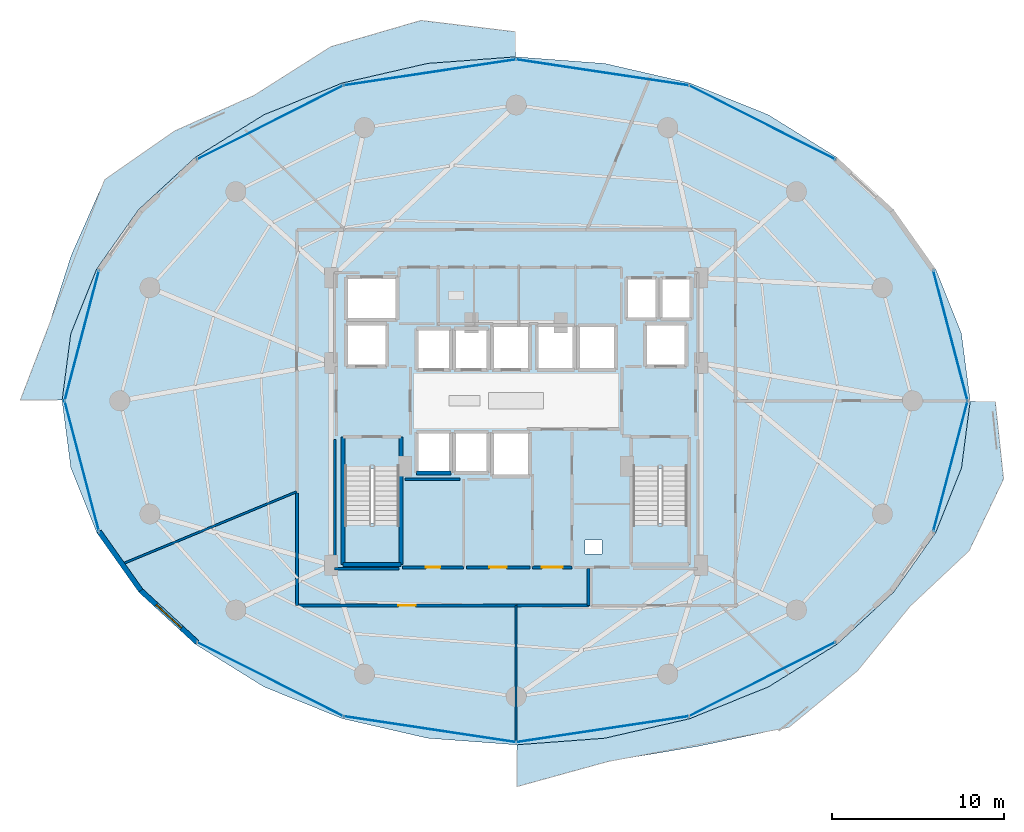
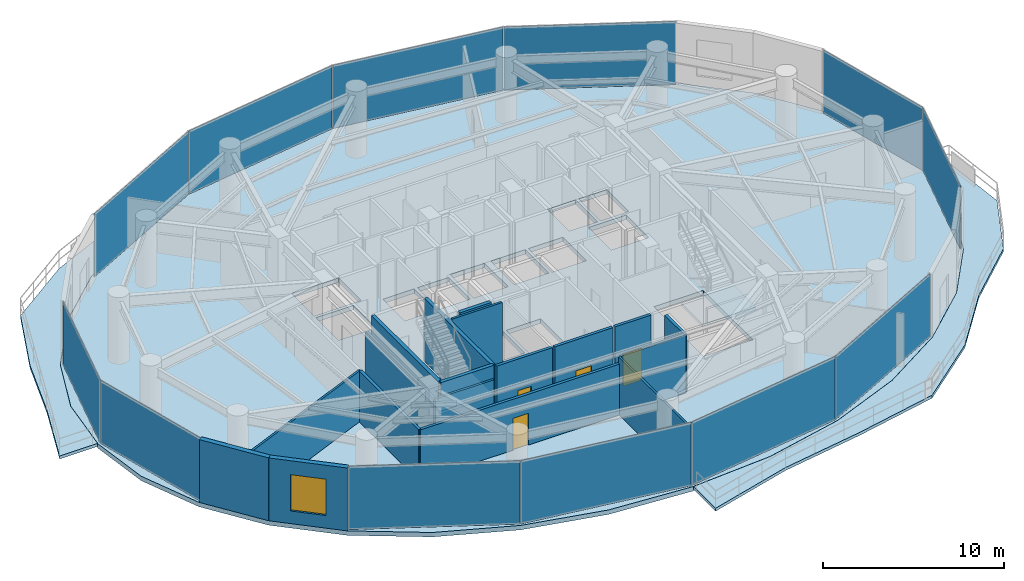
# One storey, part 19 of 27: 18 walls, 12 plates, 5 slabs, 4 doors, 1 window, 5 openings, 6 elements without a shape of their own.
"""IFC4 building model written with IfcOpenShell, lengths in metres."""

from ifc_helpers import new_model, si_unit, direction, frame, frame_2d, origin, origin_2d, place, context, subcontext, project, spatial, polyline, rectangle, outline, extrude, material, layer, layer_set, type_object, element, fill, aggregate, save


model = new_model("IFC4")

# Units and contexts
model_context = context("Model", 3, precision=1e-05, world=origin(), true_north=direction((0.0, 1.0)))
body_context = subcontext(model_context, "Body", "Model", "MODEL_VIEW")
ifc_project = project(units=[si_unit("LENGTHUNIT", "METRE"), si_unit("AREAUNIT", "SQUARE_METRE"), si_unit("VOLUMEUNIT", "CUBIC_METRE"), si_unit("PLANEANGLEUNIT", "RADIAN"), si_unit("MASSUNIT", "GRAM", prefix="KILO")], contexts=[model_context])

# Site, building, storey
site_placement = place(None, origin())
site = spatial("IfcSite", under=ifc_project, at=site_placement, CompositionType="ELEMENT")
building_placement = place(site_placement, origin())
building = spatial("IfcBuilding", under=site, at=building_placement, Name="Vorneva Point Tower", CompositionType="ELEMENT")
storey_placement = place(building_placement, frame((0.0, 0.0, 74.300048828125)))
storey = spatial("IfcBuildingStorey", under=building, at=storey_placement, Name="L19", CompositionType="ELEMENT", Elevation=74.300048828125)

# Curtain wall, plates
ifc_material_1 = material(Name="Pale anodised aluminium", Category="aluminium")
curtain_wall_type = type_object("IfcCurtainWallType", Name="CW-SKY-SYS", PredefinedType="NOTDEFINED", material=ifc_material_1)
curtain_wall_1_placement = place(storey_placement, origin())
curtain_wall_1 = element("IfcCurtainWall", 1, at=curtain_wall_1_placement, inside=storey, type_object=curtain_wall_type, Name="L19 Unitised Curtain Wall CW-L19-R01", PredefinedType="NOTDEFINED")
ifc_material_2 = material(Name="Double low-e laminated glass IGU", Category="glass")
ifc_layer_1 = layer(ifc_material_2, 0.035888671875)
ifc_layer_set_1 = layer_set([ifc_layer_1], Name="Double low-e laminated glass IGU")
plate_type = type_object("IfcPlateType", Name="CW-PNL-VIS", PredefinedType="CURTAIN_PANEL", material=ifc_layer_set_1)
plate_1_placement = place(storey_placement, frame((63.2509765625, 22.201904296875, -0.02001953125), z_axis=(0.0, 0.0, 1.0), x_axis=(0.254399404995, 0.967099241411, 0.0)))
plate_1 = element("IfcPlate", 2, at=plate_1_placement, type_object=plate_type, Name="CW-L19-R01 Glazed Panel 01", PredefinedType="CURTAIN_PANEL", context=body_context, shape_type="SweptSolid", body=[
    extrude(rectangle(XDim=7.8046875, YDim=0.035888671875, at=origin_2d()), origin(), (0.0, 0.0, 1.0), 4.280029296875),
])
plate_2_placement = place(storey_placement, frame((63.2509765625, 29.798095703125, -0.02001953125), z_axis=(0.0, 0.0, 1.0), x_axis=(-0.254399404995, 0.967099241411, 0.0)))
plate_2 = element("IfcPlate", 3, at=plate_2_placement, type_object=plate_type, Name="CW-L19-R01 Glazed Panel 02", PredefinedType="CURTAIN_PANEL", context=body_context, shape_type="SweptSolid", body=[
    extrude(rectangle(XDim=7.8046875, YDim=0.035888671875, at=origin_2d()), origin(), (0.0, 0.0, 1.0), 4.280029296875),
])
aggregate(curtain_wall_1, [plate_1, plate_2])

curtain_wall_2_placement = place(storey_placement, origin())
curtain_wall_2 = element("IfcCurtainWall", 4, at=curtain_wall_2_placement, inside=storey, type_object=curtain_wall_type, Name="L19 Unitised Curtain Wall CW-L19-R02", PredefinedType="NOTDEFINED")
plate_3_placement = place(storey_placement, frame((52.303466796875, 42.1875, -0.02001953125), z_axis=(0.0, 0.0, 1.0), x_axis=(-0.892538597772, 0.450971009585, 0.0)))
plate_3 = element("IfcPlate", 5, at=plate_3_placement, type_object=plate_type, Name="CW-L19-R02 Glazed Panel 01", PredefinedType="CURTAIN_PANEL", context=body_context, shape_type="SweptSolid", body=[
    extrude(rectangle(XDim=9.491455078125, YDim=0.035888671875, at=origin_2d()), origin(), (0.0, 0.0, 1.0), 4.280029296875),
])
plate_4_placement = place(storey_placement, frame((43.022705078125, 45.094482421875, -0.02001953125), z_axis=(0.0, 0.0, 1.0), x_axis=(-0.988876117041, 0.148741470836, 0.0)))
plate_4 = element("IfcPlate", 6, at=plate_4_placement, type_object=plate_type, Name="CW-L19-R02 Glazed Panel 02", PredefinedType="CURTAIN_PANEL", context=body_context, shape_type="SweptSolid", body=[
    extrude(rectangle(XDim=10.1083984375, YDim=0.035888671875, at=origin_2d()), origin(), (0.0, 0.0, 1.0), 4.280029296875),
])
plate_5_placement = place(storey_placement, frame((32.977294921875, 45.094482421875, -0.02001953125), z_axis=(0.0, 0.0, 1.0), x_axis=(-0.988876117041, -0.148741470836, 0.0)))
plate_5 = element("IfcPlate", 7, at=plate_5_placement, type_object=plate_type, Name="CW-L19-R02 Glazed Panel 03", PredefinedType="CURTAIN_PANEL", context=body_context, shape_type="SweptSolid", body=[
    extrude(rectangle(XDim=10.1083984375, YDim=0.035888671875, at=origin_2d()), origin(), (0.0, 0.0, 1.0), 4.280029296875),
])
plate_6_placement = place(storey_placement, frame((23.696533203125, 42.1875, -0.02001953125), z_axis=(0.0, 0.0, 1.0), x_axis=(-0.892538597772, -0.450971009585, 0.0)))
plate_6 = element("IfcPlate", 8, at=plate_6_placement, type_object=plate_type, Name="CW-L19-R02 Glazed Panel 04", PredefinedType="CURTAIN_PANEL", context=body_context, shape_type="SweptSolid", body=[
    extrude(rectangle(XDim=9.491455078125, YDim=0.035888671875, at=origin_2d()), origin(), (0.0, 0.0, 1.0), 4.280029296875),
])
aggregate(curtain_wall_2, [plate_3, plate_4, plate_5, plate_6])

curtain_wall_3_placement = place(storey_placement, origin())
curtain_wall_3 = element("IfcCurtainWall", 9, at=curtain_wall_3_placement, inside=storey, type_object=curtain_wall_type, Name="L19 Unitised Curtain Wall CW-L19-R03", PredefinedType="NOTDEFINED")
plate_7_placement = place(storey_placement, frame((12.7490234375, 29.798095703125, -0.02001953125), z_axis=(0.0, 0.0, 1.0), x_axis=(-0.254399404995, -0.967099241411, 0.0)))
plate_7 = element("IfcPlate", 10, at=plate_7_placement, type_object=plate_type, Name="CW-L19-R03 Glazed Panel 01", PredefinedType="CURTAIN_PANEL", context=body_context, shape_type="SweptSolid", body=[
    extrude(rectangle(XDim=7.8046875, YDim=0.035888671875, at=origin_2d()), origin(), (0.0, 0.0, 1.0), 4.280029296875),
])
plate_8_placement = place(storey_placement, frame((12.7490234375, 22.201904296875, -0.02001953125), z_axis=(0.0, 0.0, 1.0), x_axis=(0.254399404995, -0.967099241411, 0.0)))
plate_8 = element("IfcPlate", 11, at=plate_8_placement, type_object=plate_type, Name="CW-L19-R03 Glazed Panel 02", PredefinedType="CURTAIN_PANEL", context=body_context, shape_type="SweptSolid", body=[
    extrude(rectangle(XDim=7.8046875, YDim=0.035888671875, at=origin_2d()), origin(), (0.0, 0.0, 1.0), 4.280029296875),
])
aggregate(curtain_wall_3, [plate_7, plate_8])

curtain_wall_4_placement = place(storey_placement, origin())
curtain_wall_4 = element("IfcCurtainWall", 12, at=curtain_wall_4_placement, inside=storey, type_object=curtain_wall_type, Name="L19 Unitised Curtain Wall CW-L19-R04", PredefinedType="NOTDEFINED")
plate_9_placement = place(storey_placement, frame((23.696533203125, 9.8125, -0.02001953125), z_axis=(0.0, 0.0, 1.0), x_axis=(0.892538597772, -0.450971009585, 0.0)))
plate_9 = element("IfcPlate", 13, at=plate_9_placement, type_object=plate_type, Name="CW-L19-R04 Glazed Panel 01", PredefinedType="CURTAIN_PANEL", context=body_context, shape_type="SweptSolid", body=[
    extrude(rectangle(XDim=9.491455078125, YDim=0.035888671875, at=origin_2d()), origin(), (0.0, 0.0, 1.0), 4.280029296875),
])
plate_10_placement = place(storey_placement, frame((32.977294921875, 6.905517578125, -0.02001953125), z_axis=(0.0, 0.0, 1.0), x_axis=(0.988876117041, -0.148741470836, 0.0)))
plate_10 = element("IfcPlate", 14, at=plate_10_placement, type_object=plate_type, Name="CW-L19-R04 Glazed Panel 02", PredefinedType="CURTAIN_PANEL", context=body_context, shape_type="SweptSolid", body=[
    extrude(rectangle(XDim=10.1083984375, YDim=0.035888671875, at=origin_2d()), origin(), (0.0, 0.0, 1.0), 4.280029296875),
])
plate_11_placement = place(storey_placement, frame((43.022705078125, 6.905517578125, -0.02001953125), z_axis=(0.0, 0.0, 1.0), x_axis=(0.988876117041, 0.148741470836, 0.0)))
plate_11 = element("IfcPlate", 15, at=plate_11_placement, type_object=plate_type, Name="CW-L19-R04 Glazed Panel 03", PredefinedType="CURTAIN_PANEL", context=body_context, shape_type="SweptSolid", body=[
    extrude(rectangle(XDim=10.1083984375, YDim=0.035888671875, at=origin_2d()), origin(), (0.0, 0.0, 1.0), 4.280029296875),
])
plate_12_placement = place(storey_placement, frame((52.303466796875, 9.8125, -0.02001953125), z_axis=(0.0, 0.0, 1.0), x_axis=(0.892538597772, 0.450971009585, 0.0)))
plate_12 = element("IfcPlate", 16, at=plate_12_placement, type_object=plate_type, Name="CW-L19-R04 Glazed Panel 04", PredefinedType="CURTAIN_PANEL", context=body_context, shape_type="SweptSolid", body=[
    extrude(rectangle(XDim=9.491455078125, YDim=0.035888671875, at=origin_2d()), origin(), (0.0, 0.0, 1.0), 4.280029296875),
])
aggregate(curtain_wall_4, [plate_9, plate_10, plate_11, plate_12])

# Slabs
ifc_material_3 = material(Name="Concrete B50 (C40/50)", Category="concrete")
ifc_layer_2 = layer(ifc_material_3, 0.199951171875)
ifc_layer_set_2 = layer_set([ifc_layer_2], Name="Concrete B50 (C40/50)")
slab_type_1 = type_object("IfcSlabType", Name="SLB-BAL-200", PredefinedType="FLOOR", material=ifc_layer_set_2)
slab_1_placement = place(storey_placement, frame((0.0, 0.0, -0.199951171875)))
element("IfcSlab", 17, at=slab_1_placement, inside=storey, type_object=slab_type_1, Name="L19 Cantilevered Wave Balcony NW", PredefinedType="FLOOR", context=body_context, shape_type="SweptSolid", body=[
    extrude(outline(polyline([(9.17431640625, 26.050048828125), (11.6025390625, 26.050048828125), (12.103271484375, 29.90234375), (12.103515625, 29.902587890625), (12.103515625, 29.903076171875), (12.103515625, 29.9033203125), (13.60595703125, 33.6552734375), (13.606201171875, 33.655517578125), (13.606201171875, 33.656005859375), (16.0458984375, 37.11376953125), (16.046142578125, 37.114013671875), (16.04638671875, 37.1142578125), (19.32958984375, 40.14501953125), (19.330078125, 40.145263671875), (19.330322265625, 40.1455078125), (23.330810546875, 42.6328125), (23.3310546875, 42.633056640625), (23.331298828125, 42.633056640625), (27.895751953125, 44.481201171875), (27.89599609375, 44.4814453125), (27.896240234375, 44.4814453125), (32.8486328125, 45.61962890625), (32.84912109375, 45.61962890625), (32.849365234375, 45.61962890625), (37.949951171875, 46.000244140625), (37.949951171875, 47.4609375), (32.472412109375, 48.119384765625), (27.233154296875, 46.59375), (22.76220703125, 43.756591796875), (18.15478515625, 41.696533203125), (14.072021484375, 38.85546875), (12.1337890625, 34.460693359375), (10.7841796875, 30.249267578125), (9.17431640625, 26.050048828125)])), origin(), (0.0, 0.0, 1.0), 0.199951171875),
])
slab_2_placement = place(storey_placement, frame((0.0, 0.0, -0.199951171875)))
element("IfcSlab", 18, at=slab_2_placement, inside=storey, type_object=slab_type_1, Name="L19 Cantilevered Wave Balcony SE", PredefinedType="FLOOR", context=body_context, shape_type="SweptSolid", body=[
    extrude(outline(polyline([(66.341796875, 21.455078125), (65.8603515625, 25.949951171875), (64.3974609375, 25.949951171875), (63.896728515625, 22.09765625), (63.896484375, 22.097412109375), (63.896484375, 22.096923828125), (63.896484375, 22.0966796875), (62.39404296875, 18.3447265625), (62.393798828125, 18.344482421875), (62.393798828125, 18.343994140625), (59.9541015625, 14.88623046875), (59.953857421875, 14.885986328125), (59.95361328125, 14.8857421875), (56.67041015625, 11.85498046875), (56.669921875, 11.854736328125), (56.669677734375, 11.8544921875), (52.669189453125, 9.3671875), (52.6689453125, 9.366943359375), (52.668701171875, 9.366943359375), (48.104248046875, 7.518798828125), (48.10400390625, 7.5185546875), (48.103759765625, 7.5185546875), (43.1513671875, 6.38037109375), (43.15087890625, 6.38037109375), (43.150634765625, 6.38037109375), (38.050048828125, 5.999755859375), (38.050048828125, 3.56884765625), (43.354248046875, 5.031494140625), (48.6064453125, 5.91748046875), (53.85791015625, 7.018310546875), (57.84521484375, 10.303466796875), (60.898193359375, 14.052978515625), (64.33642578125, 17.2822265625), (66.341796875, 21.455078125)])), origin(), (0.0, 0.0, 1.0), 0.199951171875),
])

# Stair, slab
stair_type = type_object("IfcStairType", Name="ST-DOG-1500", PredefinedType="HALF_TURN_STAIR", material=ifc_material_3)
stair_1_placement = place(storey_placement, origin())
stair_1 = element("IfcStair", 19, at=stair_1_placement, inside=storey, type_object=stair_type, Name="L19 ST1", PredefinedType="HALF_TURN_STAIR")
ifc_layer_3 = layer(ifc_material_3, 0.199951171875)
ifc_layer_set_3 = layer_set([ifc_layer_3], Name="Concrete B50 (C40/50)")
slab_type_2 = type_object("IfcSlabType", Name="SLB-LND-200", PredefinedType="LANDING", material=ifc_layer_set_3)
slab_3_placement = place(storey_placement, frame((0.0, 0.0, 2.050048828125)))
slab_3 = element("IfcSlab", 20, at=slab_3_placement, type_object=slab_type_2, Name="ST1 landing 1", PredefinedType="LANDING", context=body_context, shape_type="SweptSolid", body=[
    extrude(outline(polyline([(27.929931640625, 16.47998046875), (31.320068359375, 16.47998046875), (31.320068359375, 18.860107421875), (27.929931640625, 18.860107421875), (27.929931640625, 16.47998046875)])), origin(), (0.0, 0.0, 1.0), 0.199951171875),
])
aggregate(stair_1, [slab_3])

stair_2_placement = place(storey_placement, origin())
stair_2 = element("IfcStair", 21, at=stair_2_placement, inside=storey, type_object=stair_type, Name="L19 ST2", PredefinedType="HALF_TURN_STAIR")
slab_4_placement = place(storey_placement, frame((0.0, 0.0, 2.050048828125)))
slab_4 = element("IfcSlab", 22, at=slab_4_placement, type_object=slab_type_2, Name="ST2 landing 1", PredefinedType="LANDING", context=body_context, shape_type="SweptSolid", body=[
    extrude(outline(polyline([(44.679931640625, 16.47998046875), (48.070068359375, 16.47998046875), (48.070068359375, 18.860107421875), (44.679931640625, 18.860107421875), (44.679931640625, 16.47998046875)])), origin(), (0.0, 0.0, 1.0), 0.199951171875),
])
aggregate(stair_2, [slab_4])

# Slab
ifc_layer_4 = layer(ifc_material_3, 0.300048828125)
ifc_layer_set_4 = layer_set([ifc_layer_4], Name="Concrete B50 (C40/50)")
slab_type_3 = type_object("IfcSlabType", Name="SLB-SKY-300", PredefinedType="FLOOR", material=ifc_layer_set_4)
slab_5_placement = place(storey_placement, frame((0.0, 0.0, -0.300048828125)))
element("IfcSlab", 23, at=slab_5_placement, inside=storey, type_object=slab_type_3, Name="L19 Structural Floor Plate", PredefinedType="FLOOR", context=body_context, shape_type="SweptSolid", body=[
    extrude(outline(polyline([(64.39990234375, 26.0), (63.892578125, 29.90185546875), (62.390380859375, 33.65380859375), (59.95068359375, 37.111328125), (56.66748046875, 40.14208984375), (52.6669921875, 42.62939453125), (48.102783203125, 44.4775390625), (43.150390625, 45.61572265625), (38.0, 46.0), (32.849609375, 45.61572265625), (27.897216796875, 44.4775390625), (23.3330078125, 42.62939453125), (19.33251953125, 40.14208984375), (16.04931640625, 37.111328125), (13.609619140625, 33.65380859375), (12.107421875, 29.90185546875), (11.60009765625, 26.0), (12.107421875, 22.09814453125), (13.609619140625, 18.34619140625), (16.04931640625, 14.888671875), (19.33251953125, 11.85791015625), (23.3330078125, 9.37060546875), (27.897216796875, 7.5224609375), (32.849609375, 6.38427734375), (38.0, 6.0), (43.150390625, 6.38427734375), (48.102783203125, 7.5224609375), (52.6669921875, 9.37060546875), (56.66748046875, 11.85791015625), (59.95068359375, 14.888671875), (62.390380859375, 18.34619140625), (63.892578125, 22.09814453125), (64.39990234375, 26.0)]), holes=[polyline([(32.199951171875, 27.800048828125), (34.199951171875, 27.800048828125), (34.199951171875, 30.199951171875), (32.199951171875, 30.199951171875), (32.199951171875, 27.800048828125)]), polyline([(34.39990234375, 27.800048828125), (36.39990234375, 27.800048828125), (36.39990234375, 30.199951171875), (34.39990234375, 30.199951171875), (34.39990234375, 27.800048828125)]), polyline([(36.60009765625, 27.800048828125), (38.800048828125, 27.800048828125), (38.800048828125, 30.39990234375), (36.60009765625, 30.39990234375), (36.60009765625, 27.800048828125)]), polyline([(32.199951171875, 21.800048828125), (34.199951171875, 21.800048828125), (34.199951171875, 24.199951171875), (32.199951171875, 24.199951171875), (32.199951171875, 21.800048828125)]), polyline([(34.39990234375, 21.800048828125), (36.39990234375, 21.800048828125), (36.39990234375, 24.199951171875), (34.39990234375, 24.199951171875), (34.39990234375, 21.800048828125)]), polyline([(36.60009765625, 21.60009765625), (38.800048828125, 21.60009765625), (38.800048828125, 24.199951171875), (36.60009765625, 24.199951171875), (36.60009765625, 21.60009765625)]), polyline([(39.199951171875, 27.800048828125), (41.39990234375, 27.800048828125), (41.39990234375, 30.39990234375), (39.199951171875, 30.39990234375), (39.199951171875, 27.800048828125)]), polyline([(41.60009765625, 27.800048828125), (43.800048828125, 27.800048828125), (43.800048828125, 30.39990234375), (41.60009765625, 30.39990234375), (41.60009765625, 27.800048828125)]), polyline([(44.39990234375, 30.739990234375), (46.199951171875, 30.739990234375), (46.199951171875, 33.159912109375), (44.39990234375, 33.159912109375), (44.39990234375, 30.739990234375)]), polyline([(46.39990234375, 30.739990234375), (48.199951171875, 30.739990234375), (48.199951171875, 33.159912109375), (46.39990234375, 33.159912109375), (46.39990234375, 30.739990234375)]), polyline([(28.10009765625, 28.0), (30.5, 28.0), (30.5, 30.5), (28.10009765625, 30.5), (28.10009765625, 28.0)]), polyline([(45.5, 28.0), (47.89990234375, 28.0), (47.89990234375, 30.5), (45.5, 30.5), (45.5, 28.0)]), polyline([(28.10009765625, 30.699951171875), (31.10009765625, 30.699951171875), (31.10009765625, 33.199951171875), (28.10009765625, 33.199951171875), (28.10009765625, 30.699951171875)]), polyline([(28.050048828125, 16.60009765625), (31.199951171875, 16.60009765625), (31.199951171875, 22.080078125), (28.050048828125, 22.080078125), (28.050048828125, 16.60009765625)]), polyline([(44.800048828125, 16.60009765625), (47.949951171875, 16.60009765625), (47.949951171875, 22.080078125), (44.800048828125, 22.080078125), (44.800048828125, 16.60009765625)]), polyline([(42.0, 17.10009765625), (43.0, 17.10009765625), (43.0, 17.89990234375), (42.0, 17.89990234375), (42.0, 17.10009765625)])]), origin(), (0.0, 0.0, 1.0), 0.300048828125),
])

# Wall
ifc_material_4 = material(Name="Precast concrete B50 (C40/50)", Category="concrete")
ifc_layer_5 = layer(ifc_material_4, 0.300048828125)
ifc_layer_set_5 = layer_set([ifc_layer_5], Name="Precast concrete B50 (C40/50)")
wall_type_1 = type_object("IfcWallType", Name="WL-EXT-300", PredefinedType="STANDARD", material=ifc_layer_set_5)
wall_1_placement = place(storey_placement, frame((13.748291015625, 18.40380859375, 0.0), z_axis=(0.0, 0.0, 1.0), x_axis=(0.57716435238, -0.81662801222, 0.0)))
element("IfcWall", 24, at=wall_1_placement, inside=storey, type_object=wall_type_1, Name="L19 Pale-Metal Facade Spandrel Wall 10.1", PredefinedType="STANDARD", context=body_context, shape_type="SweptSolid", body=[
    extrude(rectangle(XDim=4.202392578125, YDim=0.300048828125, at=frame_2d((2.10107421875, 0.0))), origin(), (0.0, 0.0, 1.0), 4.239990234375),
])

# Wall, opening, window
wall_2_placement = place(storey_placement, frame((16.173828125, 14.971923828125, 0.0), z_axis=(0.0, 0.0, 1.0), x_axis=(0.735416718093, -0.677615119924, 0.0)))
wall_2 = element("IfcWall", 25, at=wall_2_placement, inside=storey, type_object=wall_type_1, Name="L19 Pale-Metal Facade Spandrel Wall 10.2", PredefinedType="STANDARD", context=body_context, shape_type="SweptSolid", body=[
    extrude(rectangle(XDim=4.439208984375, YDim=0.300048828125, at=frame_2d((2.2197265625, 0.0))), origin(), (0.0, 0.0, 1.0), 4.239990234375),
])
opening_1_placement = place(wall_2_placement, frame((1.219482421875, 0.0, 0.85009765625)))
opening_1 = element("IfcOpeningElement", 26, at=opening_1_placement, cuts=wall_2, Name="Opening W-07", PredefinedType="OPENING", context=body_context, shape_type="SweptSolid", body=[
    extrude(rectangle(XDim=2.0, YDim=2.449951171875, at=frame_2d((1.0, 1.22509765625))), frame((0.0, 0.1650390625, 0.0), z_axis=(0.0, -1.0, 0.0), x_axis=(1.0, 0.0, 0.0)), (0.0, 0.0, 1.0), 0.329833984375),
])
window_type = type_object("IfcWindowType", Name="WN-SKY-2000", PartitioningType="SINGLE_PANEL", PredefinedType="WINDOW", material=ifc_material_2)
window_placement = place(opening_1_placement, origin())
window = element("IfcWindow", 27, at=window_placement, inside=storey, type_object=window_type, Name="L19 Facade Window 10", OverallHeight=2.449951171875, OverallWidth=2.0, PartitioningType="SINGLE_PANEL", PredefinedType="WINDOW", context=body_context, shape_type="SweptSolid", body=[
    extrude(rectangle(XDim=2.0, YDim=2.449951171875, at=frame_2d((1.0, 1.22509765625))), frame((0.0, 0.030029296875, 0.0), z_axis=(0.0, -1.0, 0.0), x_axis=(1.0, 0.0, 0.0)), (0.0, 0.0, 1.0), 0.06005859375),
])
fill(opening_1, window)

# Walls
ifc_material_5 = material(Name="Fire-rated acoustic gypsum stud partition", Category="gypsum")
ifc_layer_6 = layer(ifc_material_5, 0.125)
ifc_layer_set_6 = layer_set([ifc_layer_6], Name="Fire-rated acoustic gypsum stud partition")
wall_type_2 = type_object("IfcWallType", Name="WL-PART-125", PredefinedType="PARTITIONING", material=ifc_layer_set_6)
wall_3_placement = place(storey_placement, frame((15.089111328125, 16.510009765625, 0.0), z_axis=(0.0, 0.0, 1.0), x_axis=(0.923872894692, 0.382699457086, 0.0)))
element("IfcWall", 28, at=wall_3_placement, inside=storey, type_object=wall_type_2, Name="L19 Interior Partition 044", PredefinedType="PARTITIONING", context=body_context, shape_type="SweptSolid", body=[
    extrude(rectangle(XDim=10.998046875, YDim=0.125, at=frame_2d((5.4990234375, 0.0))), origin(), (0.0, 0.0, 1.0), 3.431884765625),
])
wall_4_placement = place(storey_placement, frame((38.0, 6.14990234375, 0.0), z_axis=(0.0, 0.0, 1.0), x_axis=(0.0, 1.0, 0.0)))
element("IfcWall", 29, at=wall_4_placement, inside=storey, type_object=wall_type_2, Name="L19 Interior Partition 045", PredefinedType="PARTITIONING", context=body_context, shape_type="SweptSolid", body=[
    extrude(rectangle(XDim=7.9501953125, YDim=0.125, at=frame_2d((3.97509765625, 0.0))), origin(), (0.0, 0.0, 1.0), 3.8740234375),
])
ifc_layer_7 = layer(ifc_material_5, 0.139892578125)
ifc_layer_set_7 = layer_set([ifc_layer_7], Name="Fire-rated acoustic gypsum stud partition")
wall_type_3 = type_object("IfcWallType", Name="WL-PART-140", PredefinedType="PARTITIONING", material=ifc_layer_set_7)
wall_5_placement = place(storey_placement, frame((34.72998046875, 21.449951171875, 0.0), z_axis=(0.0, 0.0, 1.0), x_axis=(-1.0, 0.0, 0.0)))
element("IfcWall", 30, at=wall_5_placement, inside=storey, type_object=wall_type_3, Name="L19 Interior Closure Partition 054", PredefinedType="PARTITIONING", context=body_context, shape_type="SweptSolid", body=[
    extrude(rectangle(XDim=3.199951171875, YDim=0.139892578125, at=frame_2d((1.60009765625, 0.0))), origin(), (0.0, 0.0, 1.0), 4.239990234375),
])
wall_6_placement = place(storey_placement, frame((31.195068359375, 16.239990234375, 0.0), z_axis=(0.0, 0.0, 1.0), x_axis=(-1.0, 0.0, 0.0)))
element("IfcWall", 31, at=wall_6_placement, inside=storey, type_object=wall_type_3, Name="L19 Interior Closure Partition 061", PredefinedType="PARTITIONING", context=body_context, shape_type="SweptSolid", body=[
    extrude(rectangle(XDim=3.7451171875, YDim=0.139892578125, at=frame_2d((1.87255859375, 0.0))), origin(), (0.0, 0.0, 1.0), 3.431884765625),
])
wall_7_placement = place(storey_placement, frame((27.449951171875, 16.239990234375, 0.0), z_axis=(0.0, 0.0, 1.0), x_axis=(0.0, 1.0, 0.0)))
element("IfcWall", 32, at=wall_7_placement, inside=storey, type_object=wall_type_3, Name="L19 Interior Closure Partition 062", PredefinedType="PARTITIONING", context=body_context, shape_type="SweptSolid", body=[
    extrude(rectangle(XDim=7.513916015625, YDim=0.139892578125, at=frame_2d((3.7568359375, 0.0))), origin(), (0.0, 0.0, 1.0), 3.431884765625),
])

# Wall, opening, door
ifc_material_6 = material(Name="Autoclaved aerated concrete blockwork", Category="masonry")
ifc_layer_8 = layer(ifc_material_6, 0.179931640625)
ifc_layer_set_8 = layer_set([ifc_layer_8], Name="Autoclaved aerated concrete blockwork")
wall_type_4 = type_object("IfcWallType", Name="WL-PART-180", PredefinedType="PARTITIONING", material=ifc_layer_set_8)
wall_8_placement = place(storey_placement, frame((38.949951171875, 16.320068359375, 0.0), z_axis=(0.0, 0.0, 1.0), x_axis=(1.0, 0.0, 0.0)))
wall_8 = element("IfcWall", 33, at=wall_8_placement, inside=storey, type_object=wall_type_4, Name="L19 Interior Partition 014", PredefinedType="PARTITIONING", context=body_context, shape_type="SweptSolid", body=[
    extrude(rectangle(XDim=2.300048828125, YDim=0.179931640625, at=frame_2d((1.14990234375, 0.0))), origin(), (0.0, 0.0, 1.0), 4.239990234375),
])
opening_2_placement = place(wall_8_placement, frame((0.550048828125, 0.0, 0.0)))
opening_2 = element("IfcOpeningElement", 34, at=opening_2_placement, cuts=wall_8, Name="Opening FD-02", PredefinedType="OPENING", context=body_context, shape_type="SweptSolid", body=[
    extrude(rectangle(XDim=1.199951171875, YDim=2.14990234375, at=frame_2d((0.60009765625, 1.074951171875))), frame((0.0, 0.10498046875, 0.0), z_axis=(0.0, -1.0, 0.0), x_axis=(1.0, 0.0, 0.0)), (0.0, 0.0, 1.0), 0.209716796875),
])
ifc_material_7 = material(Name="Fire-rated powder-coated steel", Category="steel")
door_type_1 = type_object("IfcDoorType", Name="DR-FFL-1200", OperationType="NOTDEFINED", PredefinedType="DOOR", material=ifc_material_7)
door_1_placement = place(opening_2_placement, origin())
door_1 = element("IfcDoor", 35, at=door_1_placement, inside=storey, type_object=door_type_1, Name="L19 Door Core Service Lobby / L19 Circulation Corridor", OperationType="SINGLE_SWING_LEFT", OverallHeight=2.14990234375, OverallWidth=1.199951171875, PredefinedType="DOOR", context=body_context, shape_type="SweptSolid", body=[
    extrude(rectangle(XDim=1.199951171875, YDim=2.14990234375, at=frame_2d((0.60009765625, 1.074951171875))), frame((0.0, 0.02490234375, 0.0), z_axis=(0.0, -1.0, 0.0), x_axis=(1.0, 0.0, 0.0)), (0.0, 0.0, 1.0), 0.050048828125),
])
fill(opening_2, door_1)

wall_9_placement = place(storey_placement, frame((31.39990234375, 16.320068359375, 0.0), z_axis=(0.0, 0.0, 1.0), x_axis=(1.0, 0.0, 0.0)))
wall_9 = element("IfcWall", 36, at=wall_9_placement, inside=storey, type_object=wall_type_4, Name="L19 Interior Partition 026", PredefinedType="PARTITIONING", context=body_context, shape_type="SweptSolid", body=[
    extrude(rectangle(XDim=3.550048828125, YDim=0.179931640625, at=frame_2d((1.77490234375, 0.0))), origin(), (0.0, 0.0, 1.0), 4.239990234375),
])
opening_3_placement = place(wall_9_placement, frame((1.35009765625, 0.0, 0.0)))
opening_3 = element("IfcOpeningElement", 37, at=opening_3_placement, cuts=wall_9, Name="Opening ID-02", PredefinedType="OPENING", context=body_context, shape_type="SweptSolid", body=[
    extrude(rectangle(XDim=0.85009765625, YDim=2.10009765625, at=frame_2d((0.425048828125, 1.050048828125))), frame((0.0, 0.10498046875, 0.0), z_axis=(0.0, -1.0, 0.0), x_axis=(1.0, 0.0, 0.0)), (0.0, 0.0, 1.0), 0.209716796875),
])
ifc_material_8 = material(Name="Engineered oak fire-rated door leaf", Category="wood")
door_type_2 = type_object("IfcDoorType", Name="DR-BATH-850", OperationType="NOTDEFINED", PredefinedType="DOOR", material=ifc_material_8)
door_2_placement = place(opening_3_placement, origin())
door_2 = element("IfcDoor", 38, at=door_2_placement, inside=storey, type_object=door_type_2, Name="L19 Door Luggage Store / L19 Circulation Corridor", OperationType="SINGLE_SWING_LEFT", OverallHeight=2.10009765625, OverallWidth=0.85009765625, PredefinedType="DOOR", context=body_context, shape_type="SweptSolid", body=[
    extrude(rectangle(XDim=0.85009765625, YDim=2.10009765625, at=frame_2d((0.425048828125, 1.050048828125))), frame((0.0, 0.02490234375, 0.0), z_axis=(0.0, -1.0, 0.0), x_axis=(1.0, 0.0, 0.0)), (0.0, 0.0, 1.0), 0.050048828125),
])
fill(opening_3, door_2)

wall_10_placement = place(storey_placement, frame((35.10009765625, 16.320068359375, 0.0), z_axis=(0.0, 0.0, 1.0), x_axis=(1.0, 0.0, 0.0)))
wall_10 = element("IfcWall", 39, at=wall_10_placement, inside=storey, type_object=wall_type_4, Name="L19 Interior Partition 027", PredefinedType="PARTITIONING", context=body_context, shape_type="SweptSolid", body=[
    extrude(rectangle(XDim=3.699951171875, YDim=0.179931640625, at=frame_2d((1.85009765625, 0.0))), origin(), (0.0, 0.0, 1.0), 4.239990234375),
])
opening_4_placement = place(wall_10_placement, frame((1.35009765625, 0.0, 0.0)))
opening_4 = element("IfcOpeningElement", 40, at=opening_4_placement, cuts=wall_10, Name="Opening UD-01", PredefinedType="OPENING", context=body_context, shape_type="SweptSolid", body=[
    extrude(rectangle(XDim=1.0, YDim=2.14990234375, at=frame_2d((0.5, 1.074951171875))), frame((0.0, 0.10498046875, 0.0), z_axis=(0.0, -1.0, 0.0), x_axis=(1.0, 0.0, 0.0)), (0.0, 0.0, 1.0), 0.209716796875),
])
door_type_3 = type_object("IfcDoorType", Name="DR-UNIT-1000", OperationType="NOTDEFINED", PredefinedType="DOOR", material=ifc_material_8)
door_3_placement = place(opening_4_placement, origin())
door_3 = element("IfcDoor", 41, at=door_3_placement, inside=storey, type_object=door_type_3, Name="L19 Door Staff Service Pantry / L19 Circulation Corridor", OperationType="SINGLE_SWING_RIGHT", OverallHeight=2.14990234375, OverallWidth=1.0, PredefinedType="DOOR", context=body_context, shape_type="SweptSolid", body=[
    extrude(rectangle(XDim=1.0, YDim=2.14990234375, at=frame_2d((0.5, 1.074951171875))), frame((0.0, 0.02490234375, 0.0), z_axis=(0.0, -1.0, 0.0), x_axis=(1.0, 0.0, 0.0)), (0.0, 0.0, 1.0), 0.050048828125),
])
fill(opening_4, door_3)

# Wall
wall_11_placement = place(storey_placement, frame((25.25, 20.654052734375, 0.0), z_axis=(0.0, 0.0, 1.0), x_axis=(0.0, -1.0, 0.0)))
element("IfcWall", 42, at=wall_11_placement, inside=storey, type_object=wall_type_4, Name="L19 Interior Partition 033", PredefinedType="PARTITIONING", context=body_context, shape_type="SweptSolid", body=[
    extrude(rectangle(XDim=6.553955078125, YDim=0.179931640625, at=frame_2d((3.27685546875, 0.0))), origin(), (0.0, 0.0, 1.0), 3.431884765625),
])

# Wall, opening, door
wall_12_placement = place(storey_placement, frame((25.25, 14.10009765625, 0.0), z_axis=(0.0, 0.0, 1.0), x_axis=(1.0, 0.0, 0.0)))
wall_12 = element("IfcWall", 43, at=wall_12_placement, inside=storey, type_object=wall_type_4, Name="L19 Interior Partition 034", PredefinedType="PARTITIONING", context=body_context, shape_type="SweptSolid", body=[
    extrude(rectangle(XDim=12.81005859375, YDim=0.179931640625, at=frame_2d((6.405029296875, 0.0))), origin(), (0.0, 0.0, 1.0), 3.431884765625),
])
opening_5_placement = place(wall_12_placement, frame((5.905029296875, 0.0, 0.0)))
opening_5 = element("IfcOpeningElement", 44, at=opening_5_placement, cuts=wall_12, Name="Opening UD-01", PredefinedType="OPENING", context=body_context, shape_type="SweptSolid", body=[
    extrude(rectangle(XDim=1.0, YDim=2.14990234375, at=frame_2d((0.5, 1.074951171875))), frame((0.0, 0.10498046875, 0.0), z_axis=(0.0, -1.0, 0.0), x_axis=(1.0, 0.0, 0.0)), (0.0, 0.0, 1.0), 0.209716796875),
])
door_4_placement = place(opening_5_placement, origin())
door_4 = element("IfcDoor", 45, at=door_4_placement, inside=storey, type_object=door_type_3, Name="L19 Door L19 Circulation Corridor / Residents Co-Working Library L19", OperationType="SINGLE_SWING_RIGHT", OverallHeight=2.14990234375, OverallWidth=1.0, PredefinedType="DOOR", context=body_context, shape_type="SweptSolid", body=[
    extrude(rectangle(XDim=1.0, YDim=2.14990234375, at=frame_2d((0.5, 1.074951171875))), frame((0.0, 0.02490234375, 0.0), z_axis=(0.0, -1.0, 0.0), x_axis=(1.0, 0.0, 0.0)), (0.0, 0.0, 1.0), 0.050048828125),
])
fill(opening_5, door_4)

# Walls
wall_13_placement = place(storey_placement, frame((38.06005859375, 14.10009765625, 0.0), z_axis=(0.0, 0.0, 1.0), x_axis=(1.0, 0.0, 0.0)))
element("IfcWall", 46, at=wall_13_placement, inside=storey, type_object=wall_type_4, Name="L19 Interior Partition 037", PredefinedType="PARTITIONING", context=body_context, shape_type="SweptSolid", body=[
    extrude(rectangle(XDim=4.139892578125, YDim=0.179931640625, at=frame_2d((2.06982421875, 0.0))), origin(), (0.0, 0.0, 1.0), 3.921875),
])
wall_14_placement = place(storey_placement, frame((42.199951171875, 14.10009765625, 0.0), z_axis=(0.0, 0.0, 1.0), x_axis=(0.0, 1.0, 0.0)))
element("IfcWall", 47, at=wall_14_placement, inside=storey, type_object=wall_type_4, Name="L19 Interior Partition 038", PredefinedType="PARTITIONING", context=body_context, shape_type="SweptSolid", body=[
    extrude(rectangle(XDim=2.139892578125, YDim=0.179931640625, at=frame_2d((1.06982421875, 0.0))), origin(), (0.0, 0.0, 1.0), 3.921875),
])
ifc_layer_9 = layer(ifc_material_3, 0.219970703125)
ifc_layer_set_9 = layer_set([ifc_layer_9], Name="Concrete B50 (C40/50)")
wall_type_5 = type_object("IfcWallType", Name="WL-SHFT-220", PredefinedType="SOLIDWALL", material=ifc_layer_set_9)
wall_15_placement = place(storey_placement, frame((31.31005859375, 23.909912109375, 0.0), z_axis=(0.0, 0.0, 1.0), x_axis=(0.0, -1.0, 0.0)))
element("IfcWall", 48, at=wall_15_placement, inside=storey, type_object=wall_type_5, Name="L19 Exit Stair ST1 Shaft Wall right", PredefinedType="SOLIDWALL", context=body_context, shape_type="SweptSolid", body=[
    extrude(rectangle(XDim=7.419921875, YDim=0.219970703125, at=frame_2d((3.7099609375, 0.0))), origin(), (0.0, 0.0, 1.0), 4.239990234375),
])
wall_16_placement = place(storey_placement, frame((31.31005859375, 16.489990234375, 0.0), z_axis=(0.0, 0.0, 1.0), x_axis=(-1.0, 0.0, 0.0)))
element("IfcWall", 49, at=wall_16_placement, inside=storey, type_object=wall_type_5, Name="L19 Exit Stair ST1 Shaft Wall far", PredefinedType="SOLIDWALL", context=body_context, shape_type="SweptSolid", body=[
    extrude(rectangle(XDim=3.3701171875, YDim=0.219970703125, at=frame_2d((1.68505859375, 0.0))), origin(), (0.0, 0.0, 1.0), 4.239990234375),
])
wall_17_placement = place(storey_placement, frame((27.93994140625, 16.489990234375, 0.0), z_axis=(0.0, 0.0, 1.0), x_axis=(0.0, 1.0, 0.0)))
element("IfcWall", 50, at=wall_17_placement, inside=storey, type_object=wall_type_5, Name="L19 Exit Stair ST1 Shaft Wall left", PredefinedType="SOLIDWALL", context=body_context, shape_type="SweptSolid", body=[
    extrude(rectangle(XDim=7.419921875, YDim=0.219970703125, at=frame_2d((3.7099609375, 0.0))), origin(), (0.0, 0.0, 1.0), 4.239990234375),
])
wall_18_placement = place(storey_placement, frame((32.199951171875, 21.800048828125, 0.0), z_axis=(0.0, 0.0, 1.0), x_axis=(1.0, 0.0, 0.0)))
element("IfcWall", 51, at=wall_18_placement, inside=storey, type_object=wall_type_5, Name="L19 Lift PL4 Shaft Wall -Y", PredefinedType="SOLIDWALL", context=body_context, shape_type="SweptSolid", body=[
    extrude(rectangle(XDim=2.0, YDim=0.219970703125, at=frame_2d((1.0, 0.0))), origin(), (0.0, 0.0, 1.0), 4.239990234375),
])

save(model, "model.ifc")
